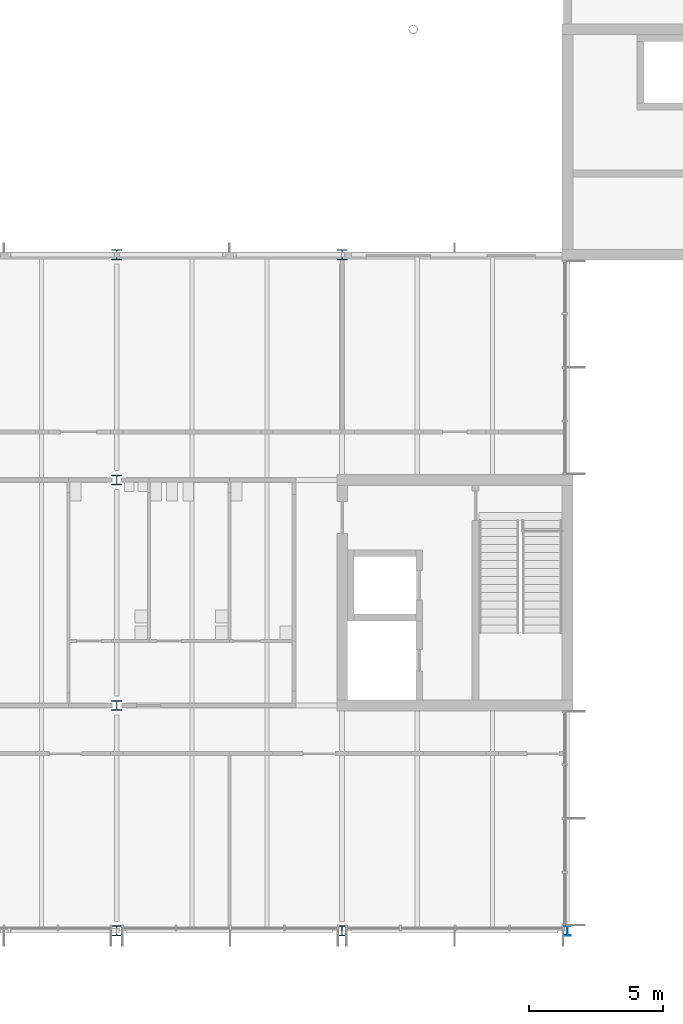
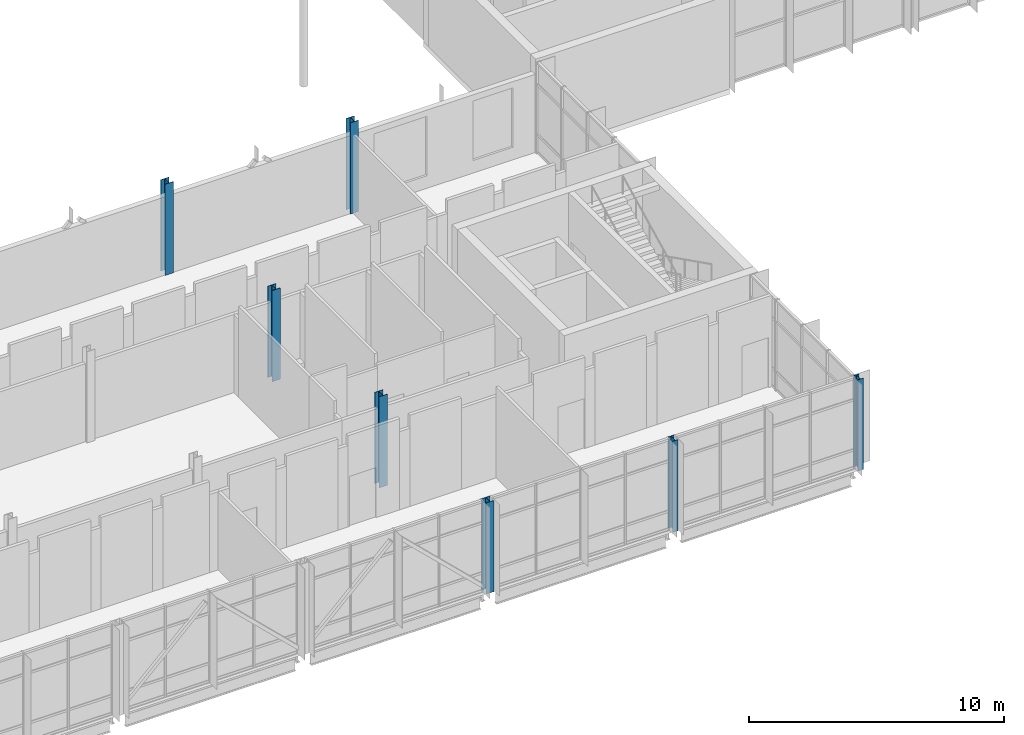
# One storey, part 2 of 89: 7 columns.
"""IFC4 building model written with IfcOpenShell, lengths in metres."""

from ifc_helpers import new_model, si_unit, direction, frame, origin, origin_2d, place, context, subcontext, project, spatial, i_section, extrude, material, material_profile, profile_set, type_object, element, save


model = new_model("IFC4")

# Units and contexts
model_context = context("Model", 3, precision=1e-05, world=origin(), true_north=direction((0.0, 1.0)))
body_context = subcontext(model_context, "Body", "Model", "MODEL_VIEW")
ifc_project = project(units=[si_unit("LENGTHUNIT", "METRE"), si_unit("AREAUNIT", "SQUARE_METRE"), si_unit("VOLUMEUNIT", "CUBIC_METRE"), si_unit("PLANEANGLEUNIT", "RADIAN"), si_unit("MASSUNIT", "GRAM", prefix="KILO")], contexts=[model_context])

# Site, building, storey
site_placement = place(None, origin())
site = spatial("IfcSite", under=ifc_project, at=site_placement, CompositionType="ELEMENT")
building_placement = place(site_placement, origin())
building = spatial("IfcBuilding", under=site, at=building_placement, Name="Hlaing Beacon Police Headquarters", CompositionType="ELEMENT")
storey_placement = place(building_placement, frame((0.0, 0.0, 9.89990234375)))
storey = spatial("IfcBuildingStorey", under=building, at=storey_placement, Name="L02", CompositionType="ELEMENT", Elevation=9.89990234375)

# Columns
ifc_material_1 = material(Name="Steel ASTM A992 Grade 50", Category="steel")
ifc_material_profile_1 = material_profile(ifc_material_1, i_section(OverallWidth=0.370849609375, OverallDepth=0.36328125, WebThickness=0.013427734375, FlangeThickness=0.021728515625, FilletRadius=0.01513671875, at=origin_2d()), Name="W14x109")
ifc_profile_set_1 = profile_set([ifc_material_profile_1], Name="Steel ASTM A992 Grade 50")
column_type_1 = type_object("IfcColumnType", Name="Steel column W14x109", PredefinedType="COLUMN", material=ifc_profile_set_1)
for number, where, z_axis, x_axis, name in (
    (1, (42.0, 16.800048828125, 0.0), (0.0, 0.0, 1.0), (1.0, 0.0, 0.0), "STR-COL-L02-F3"),
    (2, (42.0, 25.199951171875, 0.0), (0.0, 0.0, 1.0), (1.0, 0.0, 0.0), "STR-COL-L02-F4"),
):
    element("IfcColumn", number, at=place(storey_placement, frame(where, z_axis=z_axis, x_axis=x_axis)), inside=storey, type_object=column_type_1, Name=name, PredefinedType="COLUMN", context=body_context, shape_type="SweptSolid", body=[
        extrude(i_section(OverallWidth=0.370849609375, OverallDepth=0.36328125, WebThickness=0.013427734375, FlangeThickness=0.021728515625, FilletRadius=0.01513671875, at=origin_2d()), origin(), (0.0, 0.0, 1.0), 4.3701171875),
    ])
ifc_material_2 = material(Name="Steel ASTM A992 Grade 50", Category="steel")
ifc_material_profile_2 = material_profile(ifc_material_2, i_section(OverallWidth=0.25390625, OverallDepth=0.35302734375, WebThickness=0.009521484375, FlangeThickness=0.016357421875, FilletRadius=0.01513671875, at=origin_2d()), Name="W14x61")
ifc_profile_set_2 = profile_set([ifc_material_profile_2], Name="Steel ASTM A992 Grade 50")
column_type_2 = type_object("IfcColumnType", Name="Steel column W14x61", PredefinedType="COLUMN", material=ifc_profile_set_2)
column_1_placement = place(storey_placement, frame((58.800048828125, 8.39990234375, 0.0), z_axis=(0.0, 0.0, 1.0), x_axis=(1.0, 0.0, 0.0)))
element("IfcColumn", 3, at=column_1_placement, inside=storey, type_object=column_type_2, Name="STR-COL-L02-H2", PredefinedType="COLUMN", context=body_context, shape_type="SweptSolid", body=[
    extrude(i_section(OverallWidth=0.25390625, OverallDepth=0.35302734375, WebThickness=0.009521484375, FlangeThickness=0.016357421875, FilletRadius=0.01513671875, at=origin_2d()), origin(), (0.0, 0.0, 1.0), 4.3701171875),
])
ifc_material_3 = material(Name="Steel ASTM A992 Grade 50", Category="steel")
ifc_material_profile_3 = material_profile(ifc_material_3, i_section(OverallWidth=0.256591796875, OverallDepth=0.360595703125, WebThickness=0.011474609375, FlangeThickness=0.02001953125, FilletRadius=0.01513671875, at=origin_2d()), Name="W14x74")
ifc_profile_set_3 = profile_set([ifc_material_profile_3], Name="Steel ASTM A992 Grade 50")
column_type_3 = type_object("IfcColumnType", Name="Steel column W14x74", PredefinedType="COLUMN", material=ifc_profile_set_3)
column_2_placement = place(storey_placement, frame((50.39990234375, 8.39990234375, 0.0), z_axis=(0.0, 0.0, 1.0), x_axis=(1.0, 0.0, 0.0)))
element("IfcColumn", 4, at=column_2_placement, inside=storey, type_object=column_type_3, Name="STR-COL-L02-G2", PredefinedType="COLUMN", context=body_context, shape_type="SweptSolid", body=[
    extrude(i_section(OverallWidth=0.256591796875, OverallDepth=0.360595703125, WebThickness=0.011474609375, FlangeThickness=0.02001953125, FilletRadius=0.01513671875, at=origin_2d()), origin(), (0.0, 0.0, 1.0), 4.3701171875),
])
ifc_material_4 = material(Name="Steel ASTM A992 Grade 50", Category="steel")
ifc_material_profile_4 = material_profile(ifc_material_4, i_section(OverallWidth=0.370849609375, OverallDepth=0.360595703125, WebThickness=0.01220703125, FlangeThickness=0.019775390625, FilletRadius=0.01513671875, at=origin_2d()), Name="W14x99")
ifc_profile_set_4 = profile_set([ifc_material_profile_4], Name="Steel ASTM A992 Grade 50")
column_type_4 = type_object("IfcColumnType", Name="Steel column W14x99", PredefinedType="COLUMN", material=ifc_profile_set_4)
for number, where, z_axis, x_axis, name in (
    (5, (42.0, 8.39990234375, 0.0), (0.0, 0.0, 1.0), (1.0, 0.0, 0.0), "STR-COL-L02-F2"),
    (6, (42.0, 33.60009765625, 0.0), (0.0, 0.0, 1.0), (1.0, 0.0, 0.0), "STR-COL-L02-F5"),
    (7, (50.39990234375, 33.60009765625, 0.0), (0.0, 0.0, 1.0), (1.0, 0.0, 0.0), "STR-COL-L02-G5"),
):
    element("IfcColumn", number, at=place(storey_placement, frame(where, z_axis=z_axis, x_axis=x_axis)), inside=storey, type_object=column_type_4, Name=name, PredefinedType="COLUMN", context=body_context, shape_type="SweptSolid", body=[
        extrude(i_section(OverallWidth=0.370849609375, OverallDepth=0.360595703125, WebThickness=0.01220703125, FlangeThickness=0.019775390625, FilletRadius=0.01513671875, at=origin_2d()), origin(), (0.0, 0.0, 1.0), 4.3701171875),
    ])

save(model, "model.ifc")
